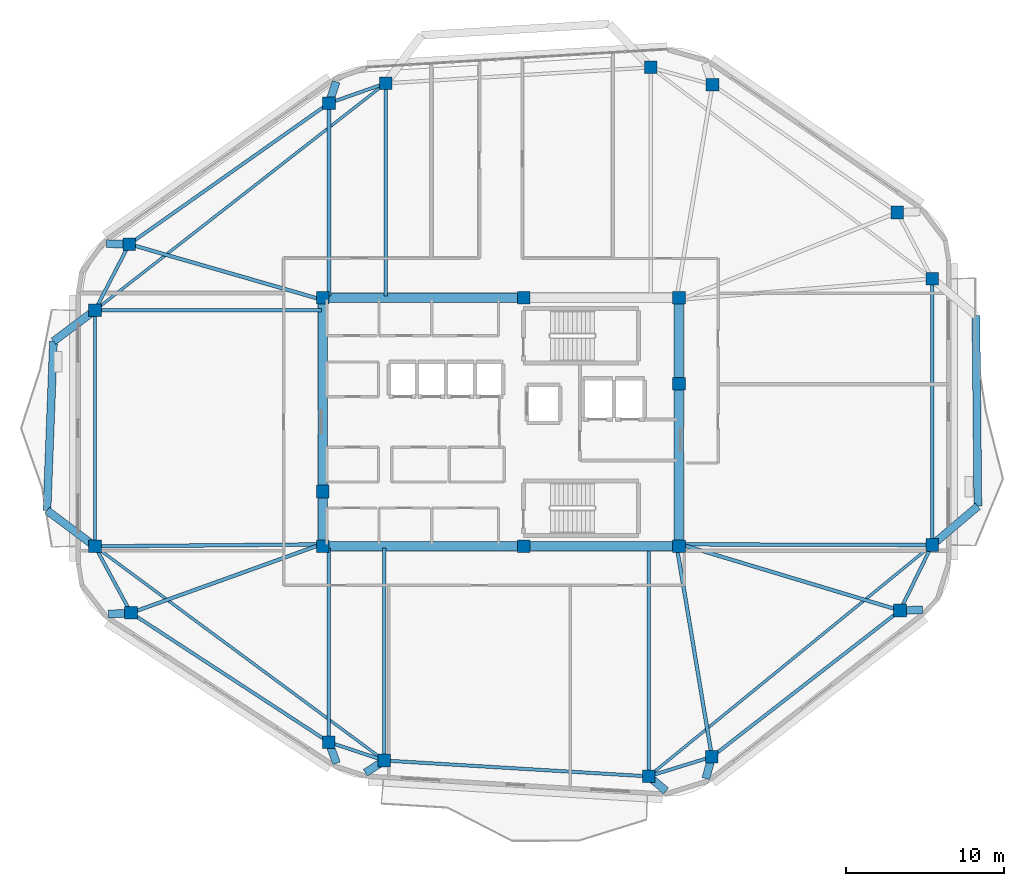
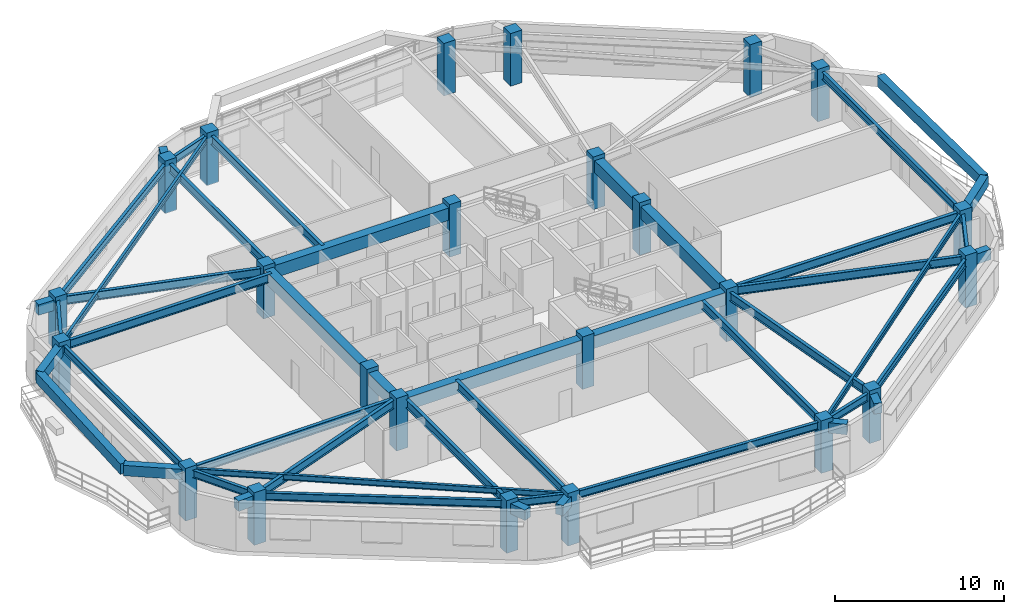
# One storey, part 1 of 12: 47 beams, 24 columns.
"""IFC4 building model written with IfcOpenShell, lengths in metres."""

from ifc_helpers import new_model, si_unit, direction, frame, origin, origin_2d, place, context, subcontext, project, spatial, rectangle, i_section, extrude, material, material_profile, profile_set, type_object, element, save


model = new_model("IFC4")

# Units and contexts
model_context = context("Model", 3, precision=1e-05, world=origin(), true_north=direction((0.0, 1.0)))
body_context = subcontext(model_context, "Body", "Model", "MODEL_VIEW")
ifc_project = project(units=[si_unit("LENGTHUNIT", "METRE"), si_unit("AREAUNIT", "SQUARE_METRE"), si_unit("VOLUMEUNIT", "CUBIC_METRE"), si_unit("PLANEANGLEUNIT", "RADIAN"), si_unit("MASSUNIT", "GRAM", prefix="KILO")], contexts=[model_context])

# Site, building, storey
site_placement = place(None, origin())
site = spatial("IfcSite", under=ifc_project, at=site_placement, CompositionType="ELEMENT")
building_placement = place(site_placement, origin())
building = spatial("IfcBuilding", under=site, at=building_placement, Name="Zulverin Broadcast Headquarters", CompositionType="ELEMENT")
storey_placement = place(building_placement, frame((0.0, 0.0, 240.199951171875)))
storey = spatial("IfcBuildingStorey", under=building, at=storey_placement, Name="L61", CompositionType="ELEMENT", Elevation=240.199951171875)

# Columns
ifc_material_1 = material(Name="Concrete C50/60", Category="concrete")
ifc_material_profile_1 = material_profile(ifc_material_1, rectangle(XDim=0.800048828125, YDim=0.800048828125, at=origin_2d()), Name="Concrete C50/60", Category="concrete")
ifc_profile_set_1 = profile_set([ifc_material_profile_1], Name="Concrete C50/60")
column_type_1 = type_object("IfcColumnType", Name="COL-RC-800", PredefinedType="COLUMN", material=ifc_profile_set_1)
for number, where, z_axis, x_axis, name in (
    (1, (29.6220703125, 3.763671875, 0.0), (0.0, 0.0, 1.0), (1.0, 0.0, 0.0), "L61 Perimeter Column T01"),
    (2, (46.3515625, 2.759521484375, 0.0), (0.0, 0.0, 1.0), (1.0, 0.0, 0.0), "L61 Perimeter Column T02"),
    (3, (50.361083984375, 4.001708984375, 0.0), (0.0, 0.0, 1.0), (1.0, 0.0, 0.0), "L61 Perimeter Column T03"),
    (4, (62.272216796875, 13.262451171875, 0.0), (0.0, 0.0, 1.0), (1.0, 0.0, 0.0), "L61 Perimeter Column T04"),
    (5, (64.300048828125, 17.40771484375, 0.0), (0.0, 0.0, 1.0), (1.0, 0.0, 0.0), "L61 Perimeter Column T05"),
    (6, (64.300048828125, 34.275634765625, 0.0), (0.0, 0.0, 1.0), (1.0, 0.0, 0.0), "L61 Perimeter Column T06"),
    (7, (62.102783203125, 38.465087890625, 0.0), (0.0, 0.0, 1.0), (1.0, 0.0, 0.0), "L61 Perimeter Column T07"),
    (8, (50.39794921875, 46.554443359375, 0.0), (0.0, 0.0, 1.0), (1.0, 0.0, 0.0), "L61 Perimeter Column T08"),
    (9, (46.4814453125, 47.6484375, 0.0), (0.0, 0.0, 1.0), (1.0, 0.0, 0.0), "L61 Perimeter Column T09"),
    (10, (29.70068359375, 46.64111328125, 0.0), (0.0, 0.0, 1.0), (1.0, 0.0, 0.0), "L61 Perimeter Column T10"),
    (11, (26.11474609375, 45.383544921875, 0.0), (0.0, 0.0, 1.0), (1.0, 0.0, 0.0), "L61 Perimeter Column T11"),
    (12, (13.46728515625, 36.457763671875, 0.0), (0.0, 0.0, 1.0), (1.0, 0.0, 0.0), "L61 Perimeter Column T12"),
    (13, (11.300048828125, 32.275390625, 0.0), (0.0, 0.0, 1.0), (1.0, 0.0, 0.0), "L61 Perimeter Column T13"),
    (14, (11.300048828125, 17.318603515625, 0.0), (0.0, 0.0, 1.0), (1.0, 0.0, 0.0), "L61 Perimeter Column T14"),
    (15, (13.576416015625, 13.11181640625, 0.0), (0.0, 0.0, 1.0), (1.0, 0.0, 0.0), "L61 Perimeter Column T15"),
    (16, (26.098876953125, 4.9287109375, 0.0), (0.0, 0.0, 1.0), (1.0, 0.0, 0.0), "L61 Perimeter Column T16"),
):
    element("IfcColumn", number, at=place(storey_placement, frame(where, z_axis=z_axis, x_axis=x_axis)), inside=storey, type_object=column_type_1, Name=name, PredefinedType="COLUMN", context=body_context, shape_type="SweptSolid", body=[
        extrude(rectangle(XDim=0.800048828125, YDim=0.800048828125, at=origin_2d()), origin(), (0.0, 0.0, 1.0), 3.800048828125),
    ])
ifc_material_profile_2 = material_profile(ifc_material_1, rectangle(XDim=0.800048828125, YDim=0.800048828125, at=origin_2d()), Name="Concrete C50/60", Category="concrete")
ifc_profile_set_2 = profile_set([ifc_material_profile_2], Name="Concrete C50/60")
column_type_2 = type_object("IfcColumnType", Name="PIL-RC-800", PredefinedType="PILASTER", material=ifc_profile_set_2)
for number, where, z_axis, x_axis, name in (
    (17, (25.72509765625, 17.324951171875, 0.0), (0.0, 0.0, 1.0), (1.0, 0.0, 0.0), "L61 Core Pilaster K01"),
    (18, (38.449951171875, 17.324951171875, 0.0), (0.0, 0.0, 1.0), (1.0, 0.0, 0.0), "L61 Core Pilaster K02"),
    (19, (48.27490234375, 17.324951171875, 0.0), (0.0, 0.0, 1.0), (1.0, 0.0, 0.0), "L61 Core Pilaster K03"),
    (20, (48.27490234375, 27.6201171875, 0.0), (0.0, 0.0, 1.0), (1.0, 0.0, 0.0), "L61 Core Pilaster K04"),
    (21, (48.27490234375, 33.074951171875, 0.0), (0.0, 0.0, 1.0), (1.0, 0.0, 0.0), "L61 Core Pilaster K05"),
    (22, (38.449951171875, 33.074951171875, 0.0), (0.0, 0.0, 1.0), (1.0, 0.0, 0.0), "L61 Core Pilaster K06"),
    (23, (25.72509765625, 33.074951171875, 0.0), (0.0, 0.0, 1.0), (1.0, 0.0, 0.0), "L61 Core Pilaster K07"),
    (24, (25.72509765625, 20.800048828125, 0.0), (0.0, 0.0, 1.0), (1.0, 0.0, 0.0), "L61 Core Pilaster K08"),
):
    element("IfcColumn", number, at=place(storey_placement, frame(where, z_axis=z_axis, x_axis=x_axis)), inside=storey, type_object=column_type_2, Name=name, PredefinedType="PILASTER", context=body_context, shape_type="SweptSolid", body=[
        extrude(rectangle(XDim=0.800048828125, YDim=0.800048828125, at=origin_2d()), origin(), (0.0, 0.0, 1.0), 3.800048828125),
    ])

# Beams
ifc_material_2 = material(Name="Concrete C60/75", Category="concrete")
ifc_material_profile_3 = material_profile(ifc_material_2, rectangle(XDim=0.60009765625, YDim=0.89990234375, at=origin_2d()), Name="Concrete C60/75", Category="concrete")
ifc_profile_set_3 = profile_set([ifc_material_profile_3], Name="Concrete C60/75")
beam_type_1 = type_object("IfcBeamType", Name="BM-CB-600x900", PredefinedType="LINTEL", material=ifc_profile_set_3)
beam_1_placement = place(storey_placement, frame((25.72509765625, 17.324951171875, 3.06005859375), z_axis=(1.0, 0.0, 0.0), x_axis=(0.0, 1.0, 0.0)))
element("IfcBeam", 25, at=beam_1_placement, inside=storey, type_object=beam_type_1, Name="L61 Core Coupling Girder K01-K02", PredefinedType="LINTEL", context=body_context, shape_type="SweptSolid", body=[
    extrude(rectangle(XDim=0.60009765625, YDim=0.89990234375, at=origin_2d()), origin(), (0.0, 0.0, 1.0), 12.724853515625),
])
beam_2_placement = place(storey_placement, frame((38.449951171875, 17.324951171875, 3.06005859375), z_axis=(1.0, 0.0, 0.0), x_axis=(0.0, 1.0, 0.0)))
element("IfcBeam", 26, at=beam_2_placement, inside=storey, type_object=beam_type_1, Name="L61 Core Coupling Girder K02-K03", PredefinedType="LINTEL", context=body_context, shape_type="SweptSolid", body=[
    extrude(rectangle(XDim=0.60009765625, YDim=0.89990234375, at=origin_2d()), origin(), (0.0, 0.0, 1.0), 9.824951171875),
])
beam_3_placement = place(storey_placement, frame((48.27490234375, 17.324951171875, 3.06005859375), z_axis=(0.0, 1.0, 0.0), x_axis=(-1.0, 0.0, 0.0)))
element("IfcBeam", 27, at=beam_3_placement, inside=storey, type_object=beam_type_1, Name="L61 Core Coupling Girder K03-K04", PredefinedType="LINTEL", context=body_context, shape_type="SweptSolid", body=[
    extrude(rectangle(XDim=0.60009765625, YDim=0.89990234375, at=origin_2d()), origin(), (0.0, 0.0, 1.0), 10.295166015625),
])
beam_4_placement = place(storey_placement, frame((48.27490234375, 27.6201171875, 3.06005859375), z_axis=(0.0, 1.0, 0.0), x_axis=(-1.0, 0.0, 0.0)))
element("IfcBeam", 28, at=beam_4_placement, inside=storey, type_object=beam_type_1, Name="L61 Core Coupling Girder K04-K05", PredefinedType="LINTEL", context=body_context, shape_type="SweptSolid", body=[
    extrude(rectangle(XDim=0.60009765625, YDim=0.89990234375, at=origin_2d()), origin(), (0.0, 0.0, 1.0), 5.454833984375),
])
beam_5_placement = place(storey_placement, frame((38.449951171875, 33.074951171875, 3.06005859375), z_axis=(-1.0, 0.0, 0.0), x_axis=(0.0, -1.0, 0.0)))
element("IfcBeam", 29, at=beam_5_placement, inside=storey, type_object=beam_type_1, Name="L61 Core Coupling Girder K06-K07", PredefinedType="LINTEL", context=body_context, shape_type="SweptSolid", body=[
    extrude(rectangle(XDim=0.60009765625, YDim=0.89990234375, at=origin_2d()), origin(), (0.0, 0.0, 1.0), 12.724853515625),
])
beam_6_placement = place(storey_placement, frame((25.72509765625, 33.074951171875, 3.06005859375), z_axis=(0.0, -1.0, 0.0), x_axis=(1.0, 0.0, 0.0)))
element("IfcBeam", 30, at=beam_6_placement, inside=storey, type_object=beam_type_1, Name="L61 Core Coupling Girder K07-K08", PredefinedType="LINTEL", context=body_context, shape_type="SweptSolid", body=[
    extrude(rectangle(XDim=0.60009765625, YDim=0.89990234375, at=origin_2d()), origin(), (0.0, 0.0, 1.0), 12.27490234375),
])
beam_7_placement = place(storey_placement, frame((25.72509765625, 20.800048828125, 3.06005859375), z_axis=(0.0, -1.0, 0.0), x_axis=(1.0, 0.0, 0.0)))
element("IfcBeam", 31, at=beam_7_placement, inside=storey, type_object=beam_type_1, Name="L61 Core Coupling Girder K08-K01", PredefinedType="LINTEL", context=body_context, shape_type="SweptSolid", body=[
    extrude(rectangle(XDim=0.60009765625, YDim=0.89990234375, at=origin_2d()), origin(), (0.0, 0.0, 1.0), 3.47509765625),
])
ifc_material_3 = material(Name="Concrete C40/50", Category="concrete")
ifc_material_profile_4 = material_profile(ifc_material_3, rectangle(XDim=0.5, YDim=0.75, at=origin_2d()), Name="Concrete C40/50", Category="concrete")
ifc_profile_set_4 = profile_set([ifc_material_profile_4], Name="Concrete C40/50")
beam_type_2 = type_object("IfcBeamType", Name="BM-RC-500x750", PredefinedType="BEAM", material=ifc_profile_set_4)
beam_8_placement = place(storey_placement, frame((29.6220703125, 3.763671875, 3.135009765625), z_axis=(-0.83837730459, -0.545090355031, 0.0), x_axis=(0.545090355031, -0.83837730459, 0.0)))
element("IfcBeam", 32, at=beam_8_placement, inside=storey, type_object=beam_type_2, Name="L62 Plate Overhang Back-Spanned Beam OVR-01", PredefinedType="BEAM", context=body_context, shape_type="SweptSolid", body=[
    extrude(rectangle(XDim=0.5, YDim=0.75, at=origin_2d()), origin(), (0.0, 0.0, 1.0), 1.43017578125),
])
for number, where, z_axis, x_axis, name in (
    (33, (46.3515625, 2.759521484375, 3.135009765625), (0.767058538949, -0.641577117598, 0.0), (0.641577117598, 0.767058538949, 0.0), "L62 Plate Overhang Back-Spanned Beam OVR-02"),
    (34, (50.361083984375, 4.001708984375, 3.135009765625), (-0.269914876125, -0.962884188076, 0.0), (0.962884188076, -0.269914876125, 0.0), "L62 Plate Overhang Back-Spanned Beam OVR-03"),
):
    element("IfcBeam", number, at=place(storey_placement, frame(where, z_axis=z_axis, x_axis=x_axis)), inside=storey, type_object=beam_type_2, Name=name, PredefinedType="BEAM", context=body_context, shape_type="SweptSolid", body=[
        extrude(rectangle(XDim=0.5, YDim=0.75, at=origin_2d()), origin(), (0.0, 0.0, 1.0), 1.429931640625),
    ])
for number, where, z_axis, x_axis, name in (
    (35, (62.272216796875, 13.262451171875, 3.135009765625), (0.999706131466, 0.024241507969, 0.0), (-0.024241507969, 0.999706131466, 0.0), "L62 Plate Overhang Back-Spanned Beam OVR-04"),
    (36, (26.11474609375, 45.383544921875, 3.135009765625), (0.314280982662, 0.94933000792, 0.0), (-0.94933000792, 0.314280982662, 0.0), "L62 Plate Overhang Back-Spanned Beam OVR-11"),
):
    element("IfcBeam", number, at=place(storey_placement, frame(where, z_axis=z_axis, x_axis=x_axis)), inside=storey, type_object=beam_type_2, Name=name, PredefinedType="BEAM", context=body_context, shape_type="SweptSolid", body=[
        extrude(rectangle(XDim=0.5, YDim=0.75, at=origin_2d()), origin(), (0.0, 0.0, 1.0), 1.43017578125),
    ])
beam_9_placement = place(storey_placement, frame((13.46728515625, 36.457763671875, 3.135009765625), z_axis=(-0.999761201155, 0.02185270385, 0.0), x_axis=(-0.02185270385, -0.999761201155, 0.0)))
element("IfcBeam", 37, at=beam_9_placement, inside=storey, type_object=beam_type_2, Name="L62 Plate Overhang Back-Spanned Beam OVR-12", PredefinedType="BEAM", context=body_context, shape_type="SweptSolid", body=[
    extrude(rectangle(XDim=0.5, YDim=0.75, at=origin_2d()), origin(), (0.0, 0.0, 1.0), 1.429931640625),
])
beam_10_placement = place(storey_placement, frame((13.576416015625, 13.11181640625, 3.135009765625), z_axis=(-0.998333895448, -0.057701240879, 0.0), x_axis=(0.057701240879, -0.998333895448, 0.0)))
element("IfcBeam", 38, at=beam_10_placement, inside=storey, type_object=beam_type_2, Name="L62 Plate Overhang Back-Spanned Beam OVR-15", PredefinedType="BEAM", context=body_context, shape_type="SweptSolid", body=[
    extrude(rectangle(XDim=0.5, YDim=0.75, at=origin_2d()), origin(), (0.0, 0.0, 1.0), 1.43017578125),
])
beam_11_placement = place(storey_placement, frame((26.098876953125, 4.9287109375, 3.135009765625), z_axis=(0.348109371259, -0.93745392721, 0.0), x_axis=(0.93745392721, 0.348109371259, 0.0)))
element("IfcBeam", 39, at=beam_11_placement, inside=storey, type_object=beam_type_2, Name="L62 Plate Overhang Back-Spanned Beam OVR-16", PredefinedType="BEAM", context=body_context, shape_type="SweptSolid", body=[
    extrude(rectangle(XDim=0.5, YDim=0.75, at=origin_2d()), origin(), (0.0, 0.0, 1.0), 1.429931640625),
])
beam_12_placement = place(storey_placement, frame((64.300048828125, 17.40771484375, 3.135009765625), z_axis=(0.763327794612, 0.646011360561, 0.0), x_axis=(-0.646011360561, 0.763327794612, 0.0)))
element("IfcBeam", 40, at=beam_12_placement, inside=storey, type_object=beam_type_2, Name="L62 Balcony Column-Framed Cantilever BAL_E-1", PredefinedType="BEAM", context=body_context, shape_type="SweptSolid", body=[
    extrude(rectangle(XDim=0.5, YDim=0.75, at=origin_2d()), origin(), (0.0, 0.0, 1.0), 3.800048828125),
])
beam_13_placement = place(storey_placement, frame((67.20068359375, 19.862548828125, 3.135009765625), z_axis=(-0.010280360137, 0.999947155701, 0.0), x_axis=(-0.999947155701, -0.010280360137, 0.0)))
element("IfcBeam", 41, at=beam_13_placement, inside=storey, type_object=beam_type_2, Name="L62 Balcony Outer Edge Trimmer Beam BAL_E", PredefinedType="BEAM", context=body_context, shape_type="SweptSolid", body=[
    extrude(rectangle(XDim=0.5, YDim=0.75, at=origin_2d()), origin(), (0.0, 0.0, 1.0), 12.064208984375),
])
beam_14_placement = place(storey_placement, frame((11.300048828125, 32.275390625, 3.135009765625), z_axis=(-0.800222827403, -0.599702781803, 0.0), x_axis=(0.599702781803, -0.800222827403, 0.0)))
element("IfcBeam", 42, at=beam_14_placement, inside=storey, type_object=beam_type_2, Name="L62 Balcony Column-Framed Cantilever BAL_W-1", PredefinedType="BEAM", context=body_context, shape_type="SweptSolid", body=[
    extrude(rectangle(XDim=0.5, YDim=0.75, at=origin_2d()), origin(), (0.0, 0.0, 1.0), 3.2861328125),
])
beam_15_placement = place(storey_placement, frame((11.300048828125, 17.318603515625, 3.135009765625), z_axis=(-0.80024663654, 0.599671010394, 0.0), x_axis=(-0.599671010394, -0.80024663654, 0.0)))
element("IfcBeam", 43, at=beam_15_placement, inside=storey, type_object=beam_type_2, Name="L62 Balcony Column-Framed Cantilever BAL_W-2", PredefinedType="BEAM", context=body_context, shape_type="SweptSolid", body=[
    extrude(rectangle(XDim=0.5, YDim=0.75, at=origin_2d()), origin(), (0.0, 0.0, 1.0), 3.800048828125),
])
beam_16_placement = place(storey_placement, frame((8.67041015625, 30.3046875, 3.135009765625), z_axis=(-0.03839199542, -0.999262755579, 0.0), x_axis=(0.999262755579, -0.03839199542, 0.0)))
element("IfcBeam", 44, at=beam_16_placement, inside=storey, type_object=beam_type_2, Name="L62 Balcony Outer Edge Trimmer Beam BAL_W", PredefinedType="BEAM", context=body_context, shape_type="SweptSolid", body=[
    extrude(rectangle(XDim=0.5, YDim=0.75, at=origin_2d()), origin(), (0.0, 0.0, 1.0), 10.715087890625),
])
ifc_material_4 = material(Name="Structural steel S355JR", Category="steel")
ifc_material_profile_5 = material_profile(ifc_material_4, i_section(OverallWidth=0.179443359375, OverallDepth=0.412841796875, WebThickness=0.009521484375, FlangeThickness=0.01611328125, at=origin_2d()), Name="Structural steel S355JR", Category="steel")
ifc_profile_set_5 = profile_set([ifc_material_profile_5], Name="Structural steel S355JR")
beam_type_3 = type_object("IfcBeamType", Name="BM-UB-406", PredefinedType="JOIST", material=ifc_profile_set_5)
beam_17_placement = place(storey_placement, frame((46.3515625, 2.759521484375, 3.3037109375), z_axis=(0.77473799882, 0.632282399869, 0.0), x_axis=(-0.632282399869, 0.77473799882, 0.0)))
element("IfcBeam", 45, at=beam_17_placement, inside=storey, type_object=beam_type_3, Name="L61 Chordal Floor Joist J-01", PredefinedType="JOIST", context=body_context, shape_type="SweptSolid", body=[
    extrude(i_section(OverallWidth=0.179443359375, OverallDepth=0.412841796875, WebThickness=0.009521484375, FlangeThickness=0.01611328125, at=origin_2d()), origin(), (0.0, 0.0, 1.0), 23.167236328125),
])
beam_18_placement = place(storey_placement, frame((29.70068359375, 46.64111328125, 3.3037109375), z_axis=(-0.788227438956, -0.615384030079, 0.0), x_axis=(0.615384030079, -0.788227438956, 0.0)))
element("IfcBeam", 46, at=beam_18_placement, inside=storey, type_object=beam_type_3, Name="L61 Chordal Floor Joist J-03", PredefinedType="JOIST", context=body_context, shape_type="SweptSolid", body=[
    extrude(i_section(OverallWidth=0.179443359375, OverallDepth=0.412841796875, WebThickness=0.009521484375, FlangeThickness=0.01611328125, at=origin_2d()), origin(), (0.0, 0.0, 1.0), 23.34423828125),
])
beam_19_placement = place(storey_placement, frame((11.300048828125, 17.318603515625, 3.3037109375), z_axis=(0.803912476144, -0.594747619332, 0.0), x_axis=(0.594747619332, 0.803912476144, 0.0)))
element("IfcBeam", 47, at=beam_19_placement, inside=storey, type_object=beam_type_3, Name="L61 Chordal Floor Joist J-04", PredefinedType="JOIST", context=body_context, shape_type="SweptSolid", body=[
    extrude(i_section(OverallWidth=0.179443359375, OverallDepth=0.412841796875, WebThickness=0.009521484375, FlangeThickness=0.01611328125, at=origin_2d()), origin(), (0.0, 0.0, 1.0), 22.791015625),
])
ifc_material_profile_6 = material_profile(ifc_material_4, i_section(OverallWidth=0.2119140625, OverallDepth=0.54443359375, WebThickness=0.0126953125, FlangeThickness=0.021240234375, at=origin_2d()), Name="Structural steel S355JR", Category="steel")
ifc_profile_set_6 = profile_set([ifc_material_profile_6], Name="Structural steel S355JR")
beam_type_4 = type_object("IfcBeamType", Name="BM-UB-533", PredefinedType="SPANDREL", material=ifc_profile_set_6)
beam_20_placement = place(storey_placement, frame((29.6220703125, 3.763671875, 3.23779296875), z_axis=(0.998203486609, -0.059914934044, 0.0), x_axis=(0.059914934044, 0.998203486609, 0.0)))
element("IfcBeam", 48, at=beam_20_placement, inside=storey, type_object=beam_type_4, Name="L61 Perimeter Spandrel Beam SP-01", PredefinedType="SPANDREL", context=body_context, shape_type="SweptSolid", body=[
    extrude(i_section(OverallWidth=0.2119140625, OverallDepth=0.54443359375, WebThickness=0.0126953125, FlangeThickness=0.021240234375, at=origin_2d()), origin(), (0.0, 0.0, 1.0), 16.759521484375),
])
beam_21_placement = place(storey_placement, frame((46.3515625, 2.759521484375, 3.23779296875), z_axis=(0.955208799219, 0.295932677978, 0.0), x_axis=(-0.295932677978, 0.955208799219, 0.0)))
element("IfcBeam", 49, at=beam_21_placement, inside=storey, type_object=beam_type_4, Name="L61 Perimeter Spandrel Beam SP-02", PredefinedType="SPANDREL", context=body_context, shape_type="SweptSolid", body=[
    extrude(i_section(OverallWidth=0.2119140625, OverallDepth=0.54443359375, WebThickness=0.0126953125, FlangeThickness=0.021240234375, at=origin_2d()), origin(), (0.0, 0.0, 1.0), 4.197509765625),
])
beam_22_placement = place(storey_placement, frame((50.361083984375, 4.001708984375, 3.23779296875), z_axis=(0.789463732329, 0.613797210271, 0.0), x_axis=(-0.613797210271, 0.789463732329, 0.0)))
element("IfcBeam", 50, at=beam_22_placement, inside=storey, type_object=beam_type_4, Name="L61 Perimeter Spandrel Beam SP-03", PredefinedType="SPANDREL", context=body_context, shape_type="SweptSolid", body=[
    extrude(i_section(OverallWidth=0.2119140625, OverallDepth=0.54443359375, WebThickness=0.0126953125, FlangeThickness=0.021240234375, at=origin_2d()), origin(), (0.0, 0.0, 1.0), 15.087646484375),
])
beam_23_placement = place(storey_placement, frame((62.272216796875, 13.262451171875, 3.23779296875), z_axis=(0.439430258265, 0.898276710219, 0.0), x_axis=(-0.898276710219, 0.439430258265, 0.0)))
element("IfcBeam", 51, at=beam_23_placement, inside=storey, type_object=beam_type_4, Name="L61 Perimeter Spandrel Beam SP-04", PredefinedType="SPANDREL", context=body_context, shape_type="SweptSolid", body=[
    extrude(i_section(OverallWidth=0.2119140625, OverallDepth=0.54443359375, WebThickness=0.0126953125, FlangeThickness=0.021240234375, at=origin_2d()), origin(), (0.0, 0.0, 1.0), 4.61474609375),
])
beam_24_placement = place(storey_placement, frame((64.300048828125, 17.40771484375, 3.23779296875), z_axis=(0.0, 1.0, 0.0), x_axis=(-1.0, 0.0, 0.0)))
element("IfcBeam", 52, at=beam_24_placement, inside=storey, type_object=beam_type_4, Name="L61 Perimeter Spandrel Beam SP-05", PredefinedType="SPANDREL", context=body_context, shape_type="SweptSolid", body=[
    extrude(i_section(OverallWidth=0.2119140625, OverallDepth=0.54443359375, WebThickness=0.0126953125, FlangeThickness=0.021240234375, at=origin_2d()), origin(), (0.0, 0.0, 1.0), 16.867919921875),
])
beam_25_placement = place(storey_placement, frame((29.70068359375, 46.64111328125, 3.23779296875), z_axis=(-0.943653845921, -0.330934161243, 0.0), x_axis=(0.330934161243, -0.943653845921, 0.0)))
element("IfcBeam", 53, at=beam_25_placement, inside=storey, type_object=beam_type_4, Name="L61 Perimeter Spandrel Beam SP-10", PredefinedType="SPANDREL", context=body_context, shape_type="SweptSolid", body=[
    extrude(i_section(OverallWidth=0.2119140625, OverallDepth=0.54443359375, WebThickness=0.0126953125, FlangeThickness=0.021240234375, at=origin_2d()), origin(), (0.0, 0.0, 1.0), 3.800048828125),
])
beam_26_placement = place(storey_placement, frame((26.11474609375, 45.383544921875, 3.23779296875), z_axis=(-0.817023806154, -0.576603937012, 0.0), x_axis=(0.576603937012, -0.817023806154, 0.0)))
element("IfcBeam", 54, at=beam_26_placement, inside=storey, type_object=beam_type_4, Name="L61 Perimeter Spandrel Beam SP-11", PredefinedType="SPANDREL", context=body_context, shape_type="SweptSolid", body=[
    extrude(i_section(OverallWidth=0.2119140625, OverallDepth=0.54443359375, WebThickness=0.0126953125, FlangeThickness=0.021240234375, at=origin_2d()), origin(), (0.0, 0.0, 1.0), 15.47998046875),
])
beam_27_placement = place(storey_placement, frame((13.46728515625, 36.457763671875, 3.23779296875), z_axis=(-0.460082658911, -0.887876087621, 0.0), x_axis=(0.887876087621, -0.460082658911, 0.0)))
element("IfcBeam", 55, at=beam_27_placement, inside=storey, type_object=beam_type_4, Name="L61 Perimeter Spandrel Beam SP-12", PredefinedType="SPANDREL", context=body_context, shape_type="SweptSolid", body=[
    extrude(i_section(OverallWidth=0.2119140625, OverallDepth=0.54443359375, WebThickness=0.0126953125, FlangeThickness=0.021240234375, at=origin_2d()), origin(), (0.0, 0.0, 1.0), 4.71044921875),
])
beam_28_placement = place(storey_placement, frame((11.300048828125, 32.275390625, 3.23779296875), z_axis=(0.0, -1.0, 0.0), x_axis=(1.0, 0.0, 0.0)))
element("IfcBeam", 56, at=beam_28_placement, inside=storey, type_object=beam_type_4, Name="L61 Perimeter Spandrel Beam SP-13", PredefinedType="SPANDREL", context=body_context, shape_type="SweptSolid", body=[
    extrude(i_section(OverallWidth=0.2119140625, OverallDepth=0.54443359375, WebThickness=0.0126953125, FlangeThickness=0.021240234375, at=origin_2d()), origin(), (0.0, 0.0, 1.0), 14.956787109375),
])
beam_29_placement = place(storey_placement, frame((11.300048828125, 17.318603515625, 3.23779296875), z_axis=(0.475909852672, -0.879494066, 0.0), x_axis=(0.879494066, 0.475909852672, 0.0)))
element("IfcBeam", 57, at=beam_29_placement, inside=storey, type_object=beam_type_4, Name="L61 Perimeter Spandrel Beam SP-14", PredefinedType="SPANDREL", context=body_context, shape_type="SweptSolid", body=[
    extrude(i_section(OverallWidth=0.2119140625, OverallDepth=0.54443359375, WebThickness=0.0126953125, FlangeThickness=0.021240234375, at=origin_2d()), origin(), (0.0, 0.0, 1.0), 4.783203125),
])
beam_30_placement = place(storey_placement, frame((13.576416015625, 13.11181640625, 3.23779296875), z_axis=(0.837112191398, -0.547031241349, 0.0), x_axis=(0.547031241349, 0.837112191398, 0.0)))
element("IfcBeam", 58, at=beam_30_placement, inside=storey, type_object=beam_type_4, Name="L61 Perimeter Spandrel Beam SP-15", PredefinedType="SPANDREL", context=body_context, shape_type="SweptSolid", body=[
    extrude(i_section(OverallWidth=0.2119140625, OverallDepth=0.54443359375, WebThickness=0.0126953125, FlangeThickness=0.021240234375, at=origin_2d()), origin(), (0.0, 0.0, 1.0), 14.959228515625),
])
beam_31_placement = place(storey_placement, frame((26.098876953125, 4.9287109375, 3.23779296875), z_axis=(0.949437184981, -0.313957054031, 0.0), x_axis=(0.313957054031, 0.949437184981, 0.0)))
element("IfcBeam", 59, at=beam_31_placement, inside=storey, type_object=beam_type_4, Name="L61 Perimeter Spandrel Beam SP-16", PredefinedType="SPANDREL", context=body_context, shape_type="SweptSolid", body=[
    extrude(i_section(OverallWidth=0.2119140625, OverallDepth=0.54443359375, WebThickness=0.0126953125, FlangeThickness=0.021240234375, at=origin_2d()), origin(), (0.0, 0.0, 1.0), 3.7109375),
])
ifc_material_profile_7 = material_profile(ifc_material_4, i_section(OverallWidth=0.230224609375, OverallDepth=0.6171875, WebThickness=0.01318359375, FlangeThickness=0.022216796875, at=origin_2d()), Name="Structural steel S355JR", Category="steel")
ifc_profile_set_7 = profile_set([ifc_material_profile_7], Name="Structural steel S355JR")
beam_type_5 = type_object("IfcBeamType", Name="BM-UB-610", PredefinedType="BEAM", material=ifc_profile_set_7)
beam_32_placement = place(storey_placement, frame((29.6220703125, 17.22509765625, 3.201416015625), z_axis=(0.0, -1.0, 0.0), x_axis=(1.0, 0.0, 0.0)))
element("IfcBeam", 60, at=beam_32_placement, inside=storey, type_object=beam_type_5, Name="L61 Radial Primary Floor Beam RB-01", PredefinedType="BEAM", context=body_context, shape_type="SweptSolid", body=[
    extrude(i_section(OverallWidth=0.230224609375, OverallDepth=0.6171875, WebThickness=0.01318359375, FlangeThickness=0.022216796875, at=origin_2d()), origin(), (0.0, 0.0, 1.0), 13.46142578125),
])
beam_33_placement = place(storey_placement, frame((46.3515625, 17.22509765625, 3.201416015625), z_axis=(0.0, -1.0, 0.0), x_axis=(1.0, 0.0, 0.0)))
element("IfcBeam", 61, at=beam_33_placement, inside=storey, type_object=beam_type_5, Name="L61 Radial Primary Floor Beam RB-02", PredefinedType="BEAM", context=body_context, shape_type="SweptSolid", body=[
    extrude(i_section(OverallWidth=0.230224609375, OverallDepth=0.6171875, WebThickness=0.01318359375, FlangeThickness=0.022216796875, at=origin_2d()), origin(), (0.0, 0.0, 1.0), 14.465576171875),
])
beam_34_placement = place(storey_placement, frame((48.14990234375, 17.22509765625, 3.201416015625), z_axis=(0.1649275445, -0.986305685407, 0.0), x_axis=(0.986305685407, 0.1649275445, 0.0)))
element("IfcBeam", 62, at=beam_34_placement, inside=storey, type_object=beam_type_5, Name="L61 Radial Primary Floor Beam RB-03", PredefinedType="BEAM", context=body_context, shape_type="SweptSolid", body=[
    extrude(i_section(OverallWidth=0.230224609375, OverallDepth=0.6171875, WebThickness=0.01318359375, FlangeThickness=0.022216796875, at=origin_2d()), origin(), (0.0, 0.0, 1.0), 13.406982421875),
])
beam_35_placement = place(storey_placement, frame((48.375, 17.449951171875, 3.201416015625), z_axis=(0.957477907331, -0.288506597799, 0.0), x_axis=(0.288506597799, 0.957477907331, 0.0)))
element("IfcBeam", 63, at=beam_35_placement, inside=storey, type_object=beam_type_5, Name="L61 Radial Primary Floor Beam RB-04", PredefinedType="BEAM", context=body_context, shape_type="SweptSolid", body=[
    extrude(i_section(OverallWidth=0.230224609375, OverallDepth=0.6171875, WebThickness=0.01318359375, FlangeThickness=0.022216796875, at=origin_2d()), origin(), (0.0, 0.0, 1.0), 14.514404296875),
])
beam_36_placement = place(storey_placement, frame((48.375, 17.449951171875, 3.201416015625), z_axis=(0.999996482951, -0.002652185248, 0.0), x_axis=(0.002652185248, 0.999996482951, 0.0)))
element("IfcBeam", 64, at=beam_36_placement, inside=storey, type_object=beam_type_5, Name="L61 Radial Primary Floor Beam RB-05", PredefinedType="BEAM", context=body_context, shape_type="SweptSolid", body=[
    extrude(i_section(OverallWidth=0.230224609375, OverallDepth=0.6171875, WebThickness=0.01318359375, FlangeThickness=0.022216796875, at=origin_2d()), origin(), (0.0, 0.0, 1.0), 15.925048828125),
])
beam_37_placement = place(storey_placement, frame((29.70068359375, 33.175048828125, 3.201416015625), z_axis=(0.0, 1.0, 0.0), x_axis=(-1.0, 0.0, 0.0)))
element("IfcBeam", 65, at=beam_37_placement, inside=storey, type_object=beam_type_5, Name="L61 Radial Primary Floor Beam RB-10", PredefinedType="BEAM", context=body_context, shape_type="SweptSolid", body=[
    extrude(i_section(OverallWidth=0.230224609375, OverallDepth=0.6171875, WebThickness=0.01318359375, FlangeThickness=0.022216796875, at=origin_2d()), origin(), (0.0, 0.0, 1.0), 13.466064453125),
])
beam_38_placement = place(storey_placement, frame((26.11474609375, 33.175048828125, 3.201416015625), z_axis=(0.0, 1.0, 0.0), x_axis=(-1.0, 0.0, 0.0)))
element("IfcBeam", 66, at=beam_38_placement, inside=storey, type_object=beam_type_5, Name="L61 Radial Primary Floor Beam RB-11", PredefinedType="BEAM", context=body_context, shape_type="SweptSolid", body=[
    extrude(i_section(OverallWidth=0.230224609375, OverallDepth=0.6171875, WebThickness=0.01318359375, FlangeThickness=0.022216796875, at=origin_2d()), origin(), (0.0, 0.0, 1.0), 12.20849609375),
])
beam_39_placement = place(storey_placement, frame((25.625, 32.949951171875, 3.201416015625), z_axis=(-0.960807187215, 0.277217512067, 0.0), x_axis=(-0.277217512067, -0.960807187215, 0.0)))
element("IfcBeam", 67, at=beam_39_placement, inside=storey, type_object=beam_type_5, Name="L61 Radial Primary Floor Beam RB-12", PredefinedType="BEAM", context=body_context, shape_type="SweptSolid", body=[
    extrude(i_section(OverallWidth=0.230224609375, OverallDepth=0.6171875, WebThickness=0.01318359375, FlangeThickness=0.022216796875, at=origin_2d()), origin(), (0.0, 0.0, 1.0), 12.653564453125),
])
beam_40_placement = place(storey_placement, frame((25.625, 32.275390625, 3.201416015625), z_axis=(-1.0, 0.0, 0.0), x_axis=(0.0, -1.0, 0.0)))
element("IfcBeam", 68, at=beam_40_placement, inside=storey, type_object=beam_type_5, Name="L61 Radial Primary Floor Beam RB-13", PredefinedType="BEAM", context=body_context, shape_type="SweptSolid", body=[
    extrude(i_section(OverallWidth=0.230224609375, OverallDepth=0.6171875, WebThickness=0.01318359375, FlangeThickness=0.022216796875, at=origin_2d()), origin(), (0.0, 0.0, 1.0), 14.324951171875),
])
beam_41_placement = place(storey_placement, frame((25.625, 17.449951171875, 3.201416015625), z_axis=(-0.999957965975, -0.009168766693, 0.0), x_axis=(0.009168766693, -0.999957965975, 0.0)))
element("IfcBeam", 69, at=beam_41_placement, inside=storey, type_object=beam_type_5, Name="L61 Radial Primary Floor Beam RB-14", PredefinedType="BEAM", context=body_context, shape_type="SweptSolid", body=[
    extrude(i_section(OverallWidth=0.230224609375, OverallDepth=0.6171875, WebThickness=0.01318359375, FlangeThickness=0.022216796875, at=origin_2d()), origin(), (0.0, 0.0, 1.0), 14.325439453125),
])
beam_42_placement = place(storey_placement, frame((25.625, 17.449951171875, 3.201416015625), z_axis=(-0.940871370382, -0.338764024646, 0.0), x_axis=(0.338764024646, -0.940871370382, 0.0)))
element("IfcBeam", 70, at=beam_42_placement, inside=storey, type_object=beam_type_5, Name="L61 Radial Primary Floor Beam RB-15", PredefinedType="BEAM", context=body_context, shape_type="SweptSolid", body=[
    extrude(i_section(OverallWidth=0.230224609375, OverallDepth=0.6171875, WebThickness=0.01318359375, FlangeThickness=0.022216796875, at=origin_2d()), origin(), (0.0, 0.0, 1.0), 12.8056640625),
])
beam_43_placement = place(storey_placement, frame((26.098876953125, 17.22509765625, 3.201416015625), z_axis=(0.0, -1.0, 0.0), x_axis=(1.0, 0.0, 0.0)))
element("IfcBeam", 71, at=beam_43_placement, inside=storey, type_object=beam_type_5, Name="L61 Radial Primary Floor Beam RB-16", PredefinedType="BEAM", context=body_context, shape_type="SweptSolid", body=[
    extrude(i_section(OverallWidth=0.230224609375, OverallDepth=0.6171875, WebThickness=0.01318359375, FlangeThickness=0.022216796875, at=origin_2d()), origin(), (0.0, 0.0, 1.0), 12.29638671875),
])

save(model, "model.ifc")
